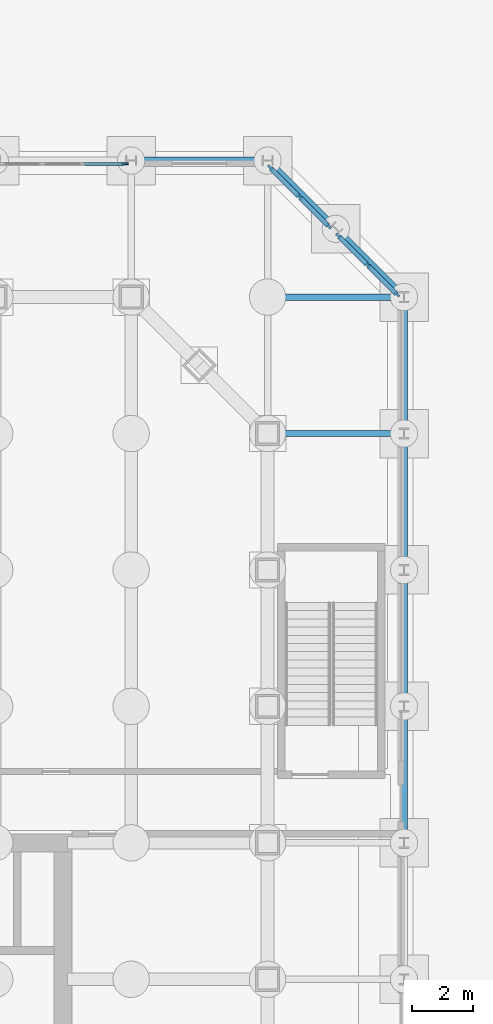
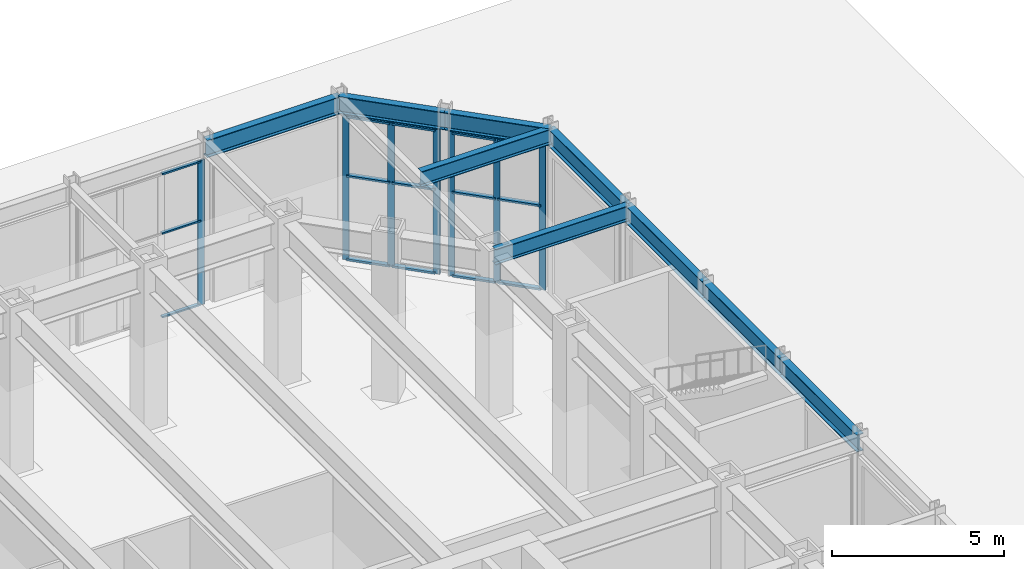
# One storey, part 12 of 39: 22 members, 9 beams, 3 elements without a shape of their own.
"""IFC4 building model written with IfcOpenShell, lengths in metres."""

from ifc_helpers import new_model, si_unit, direction, frame, origin, origin_2d, place, context, subcontext, project, spatial, rectangle, i_section, extrude, material, material_profile, profile_set, type_object, element, aggregate, save


model = new_model("IFC4")

# Units and contexts
model_context = context("Model", 3, precision=1e-05, world=origin(), true_north=direction((0.0, 1.0)))
body_context = subcontext(model_context, "Body", "Model", "MODEL_VIEW")
ifc_project = project(units=[si_unit("LENGTHUNIT", "METRE"), si_unit("AREAUNIT", "SQUARE_METRE"), si_unit("VOLUMEUNIT", "CUBIC_METRE"), si_unit("PLANEANGLEUNIT", "RADIAN"), si_unit("MASSUNIT", "GRAM", prefix="KILO")], contexts=[model_context])

# Site, building, storey
site_placement = place(None, origin())
site = spatial("IfcSite", under=ifc_project, at=site_placement, CompositionType="ELEMENT")
building_placement = place(site_placement, origin())
building = spatial("IfcBuilding", under=site, at=building_placement, Name="Msasa Ring Tower", CompositionType="ELEMENT")
storey_placement = place(building_placement, origin())
storey = spatial("IfcBuildingStorey", under=building, at=storey_placement, Name="L00", CompositionType="ELEMENT", Elevation=0.0)

# Curtain wall, members
ifc_material_1 = material(Name="Aluminium curtain wall with clear glass", Category="aluminium")
curtain_wall_type_1 = type_object("IfcCurtainWallType", Name="CW-F PLAZA SHOPFRONT CURTAIN WALL", PredefinedType="NOTDEFINED", material=ifc_material_1)
curtain_wall_1_placement = place(storey_placement, origin())
curtain_wall_1 = element("IfcCurtainWall", 1, at=curtain_wall_1_placement, inside=storey, type_object=curtain_wall_type_1, Name="Plaza shopfront curtain wall N L00 35", PredefinedType="NOTDEFINED")
ifc_material_2 = material(Name="Aluminium mullion", Category="aluminium")
ifc_material_profile_1 = material_profile(ifc_material_2, rectangle(XDim=0.054931640625, YDim=0.22509765625, at=origin_2d()), Name="AL 55x225")
ifc_profile_set_1 = profile_set([ifc_material_profile_1], Name="Aluminium mullion")
member_type_1 = type_object("IfcMemberType", Name="CW-F MULLION 55x225", PredefinedType="MULLION", material=ifc_profile_set_1)
member_1_placement = place(storey_placement, frame((20.034912109375, 29.14990234375, 0.0), z_axis=(0.0, 0.0, 1.0), x_axis=(0.0, 1.0, 0.0)))
member_1 = element("IfcMember", 2, at=member_1_placement, type_object=member_type_1, Name="CW-F mullion 4", PredefinedType="MULLION", context=body_context, shape_type="SweptSolid", body=[
    extrude(rectangle(XDim=0.054931640625, YDim=0.22509765625, at=origin_2d()), origin(), (0.0, 0.0, 1.0), 5.1328125),
])
ifc_material_3 = material(Name="Aluminium transom", Category="aluminium")
ifc_material_profile_2 = material_profile(ifc_material_3, rectangle(XDim=0.110107421875, YDim=0.054931640625, at=origin_2d()), Name="AL 55x110")
ifc_profile_set_2 = profile_set([ifc_material_profile_2], Name="Aluminium transom")
member_type_2 = type_object("IfcMemberType", Name="CW-F TRANSOM 55x110", PredefinedType="USERDEFINED", material=ifc_profile_set_2)
member_2_placement = place(storey_placement, frame((18.71484375, 29.14990234375, 0.027587890625), z_axis=(1.0, 0.0, 0.0), x_axis=(0.0, 1.0, 0.0)))
member_2 = element("IfcMember", 3, at=member_2_placement, type_object=member_type_2, Name="CW-F transom 3.1", ObjectType="TRANSOM", PredefinedType="USERDEFINED", context=body_context, shape_type="SweptSolid", body=[
    extrude(rectangle(XDim=0.110107421875, YDim=0.054931640625, at=origin_2d()), origin(), (0.0, 0.0, 1.0), 1.29248046875),
])
member_3_placement = place(storey_placement, frame((18.71484375, 29.14990234375, 3.0), z_axis=(1.0, 0.0, 0.0), x_axis=(0.0, 1.0, 0.0)))
member_3 = element("IfcMember", 4, at=member_3_placement, type_object=member_type_2, Name="CW-F transom 3.2", ObjectType="TRANSOM", PredefinedType="USERDEFINED", context=body_context, shape_type="SweptSolid", body=[
    extrude(rectangle(XDim=0.110107421875, YDim=0.054931640625, at=origin_2d()), origin(), (0.0, 0.0, 1.0), 1.29248046875),
])
member_4_placement = place(storey_placement, frame((18.71484375, 29.14990234375, 5.105224609375), z_axis=(1.0, 0.0, 0.0), x_axis=(0.0, 1.0, 0.0)))
member_4 = element("IfcMember", 5, at=member_4_placement, type_object=member_type_2, Name="CW-F transom 3.3", ObjectType="TRANSOM", PredefinedType="USERDEFINED", context=body_context, shape_type="SweptSolid", body=[
    extrude(rectangle(XDim=0.110107421875, YDim=0.054931640625, at=origin_2d()), origin(), (0.0, 0.0, 1.0), 1.29248046875),
])
aggregate(curtain_wall_1, [member_1, member_2, member_3, member_4])

ifc_material_4 = material(Name="Aluminium curtain wall with clear glass", Category="aluminium")
curtain_wall_type_2 = type_object("IfcCurtainWallType", Name="CW-K PODIUM CORNER CURTAIN WALL", PredefinedType="NOTDEFINED", material=ifc_material_4)
curtain_wall_2_placement = place(storey_placement, origin())
curtain_wall_2 = element("IfcCurtainWall", 6, at=curtain_wall_2_placement, inside=storey, type_object=curtain_wall_type_2, Name="Podium corner curtain wall NE L00", PredefinedType="NOTDEFINED")
ifc_material_5 = material(Name="Aluminium mullion", Category="aluminium")
ifc_material_profile_3 = material_profile(ifc_material_5, rectangle(XDim=0.070068359375, YDim=0.199951171875, at=origin_2d()), Name="AL 70x200")
ifc_profile_set_3 = profile_set([ifc_material_profile_3], Name="Aluminium mullion")
member_type_3 = type_object("IfcMemberType", Name="CW-K MULLION 70x200", PredefinedType="MULLION", material=ifc_profile_set_3)
member_5_placement = place(storey_placement, frame((26.77197265625, 27.086669921875, 0.0), z_axis=(0.0, 0.0, 1.0), x_axis=(-0.707106781187, -0.707106781187, 0.0)))
member_5 = element("IfcMember", 7, at=member_5_placement, type_object=member_type_3, Name="CW-K mullion 1", PredefinedType="MULLION", context=body_context, shape_type="SweptSolid", body=[
    extrude(rectangle(XDim=0.070068359375, YDim=0.199951171875, at=origin_2d()), origin(), (0.0, 0.0, 1.0), 5.1328125),
])
member_6_placement = place(storey_placement, frame((25.80419921875, 28.05419921875, 0.0), z_axis=(0.0, 0.0, 1.0), x_axis=(-0.707106781187, -0.707106781187, 0.0)))
member_6 = element("IfcMember", 8, at=member_6_placement, type_object=member_type_3, Name="CW-K mullion 2", PredefinedType="MULLION", context=body_context, shape_type="SweptSolid", body=[
    extrude(rectangle(XDim=0.070068359375, YDim=0.199951171875, at=origin_2d()), origin(), (0.0, 0.0, 1.0), 5.1328125),
])
member_7_placement = place(storey_placement, frame((24.836669921875, 29.02197265625, 0.0), z_axis=(0.0, 0.0, 1.0), x_axis=(-0.707106781187, -0.707106781187, 0.0)))
member_7 = element("IfcMember", 9, at=member_7_placement, type_object=member_type_3, Name="CW-K mullion 3", PredefinedType="MULLION", context=body_context, shape_type="SweptSolid", body=[
    extrude(rectangle(XDim=0.070068359375, YDim=0.199951171875, at=origin_2d()), origin(), (0.0, 0.0, 1.0), 5.1328125),
])

curtain_wall_3_placement = place(storey_placement, origin())
curtain_wall_3 = element("IfcCurtainWall", 10, at=curtain_wall_3_placement, inside=storey, type_object=curtain_wall_type_2, Name="Podium corner curtain wall NE L00", PredefinedType="NOTDEFINED")
member_8_placement = place(storey_placement, frame((29.02197265625, 24.836669921875, 0.0), z_axis=(0.0, 0.0, 1.0), x_axis=(-0.707106781187, -0.707106781187, 0.0)))
member_8 = element("IfcMember", 11, at=member_8_placement, type_object=member_type_3, Name="CW-K mullion 1", PredefinedType="MULLION", context=body_context, shape_type="SweptSolid", body=[
    extrude(rectangle(XDim=0.070068359375, YDim=0.199951171875, at=origin_2d()), origin(), (0.0, 0.0, 1.0), 5.1328125),
])
member_9_placement = place(storey_placement, frame((28.05419921875, 25.80419921875, 0.0), z_axis=(0.0, 0.0, 1.0), x_axis=(-0.707106781187, -0.707106781187, 0.0)))
member_9 = element("IfcMember", 12, at=member_9_placement, type_object=member_type_3, Name="CW-K mullion 2", PredefinedType="MULLION", context=body_context, shape_type="SweptSolid", body=[
    extrude(rectangle(XDim=0.070068359375, YDim=0.199951171875, at=origin_2d()), origin(), (0.0, 0.0, 1.0), 5.1328125),
])
member_10_placement = place(storey_placement, frame((27.086669921875, 26.77197265625, 0.0), z_axis=(0.0, 0.0, 1.0), x_axis=(-0.707106781187, -0.707106781187, 0.0)))
member_10 = element("IfcMember", 13, at=member_10_placement, type_object=member_type_3, Name="CW-K mullion 3", PredefinedType="MULLION", context=body_context, shape_type="SweptSolid", body=[
    extrude(rectangle(XDim=0.070068359375, YDim=0.199951171875, at=origin_2d()), origin(), (0.0, 0.0, 1.0), 5.1328125),
])

# Member
ifc_material_6 = material(Name="Aluminium transom", Category="aluminium")
ifc_material_profile_4 = material_profile(ifc_material_6, rectangle(XDim=0.14990234375, YDim=0.070068359375, at=origin_2d()), Name="AL 70x150")
ifc_profile_set_4 = profile_set([ifc_material_profile_4], Name="Aluminium transom")
member_type_4 = type_object("IfcMemberType", Name="CW-K TRANSOM 70x150", PredefinedType="USERDEFINED", material=ifc_profile_set_4)
member_11_placement = place(storey_placement, frame((26.7470703125, 27.111572265625, 0.034912109375), z_axis=(-0.707106781187, 0.707106781187, 0.0), x_axis=(-0.707106781187, -0.707106781187, 0.0)))
member_11 = element("IfcMember", 14, at=member_11_placement, type_object=member_type_4, Name="CW-K transom 1.1", ObjectType="TRANSOM", PredefinedType="USERDEFINED", context=body_context, shape_type="SweptSolid", body=[
    extrude(rectangle(XDim=0.14990234375, YDim=0.070068359375, at=origin_2d()), origin(), (0.0, 0.0, 1.0), 1.298095703125),
])

member_12_placement = place(storey_placement, frame((26.7470703125, 27.111572265625, 3.0), z_axis=(-0.707106781187, 0.707106781187, 0.0), x_axis=(-0.707106781187, -0.707106781187, 0.0)))
member_12 = element("IfcMember", 15, at=member_12_placement, type_object=member_type_4, Name="CW-K transom 1.2", ObjectType="TRANSOM", PredefinedType="USERDEFINED", context=body_context, shape_type="SweptSolid", body=[
    extrude(rectangle(XDim=0.14990234375, YDim=0.070068359375, at=origin_2d()), origin(), (0.0, 0.0, 1.0), 1.298095703125),
])

member_13_placement = place(storey_placement, frame((26.7470703125, 27.111572265625, 5.097900390625), z_axis=(-0.707106781187, 0.707106781187, 0.0), x_axis=(-0.707106781187, -0.707106781187, 0.0)))
member_13 = element("IfcMember", 16, at=member_13_placement, type_object=member_type_4, Name="CW-K transom 1.3", ObjectType="TRANSOM", PredefinedType="USERDEFINED", context=body_context, shape_type="SweptSolid", body=[
    extrude(rectangle(XDim=0.14990234375, YDim=0.070068359375, at=origin_2d()), origin(), (0.0, 0.0, 1.0), 1.298095703125),
])

member_14_placement = place(storey_placement, frame((25.779541015625, 28.0791015625, 0.034912109375), z_axis=(-0.707106781187, 0.707106781187, 0.0), x_axis=(-0.707106781187, -0.707106781187, 0.0)))
member_14 = element("IfcMember", 17, at=member_14_placement, type_object=member_type_4, Name="CW-K transom 2.1", ObjectType="TRANSOM", PredefinedType="USERDEFINED", context=body_context, shape_type="SweptSolid", body=[
    extrude(rectangle(XDim=0.14990234375, YDim=0.070068359375, at=origin_2d()), origin(), (0.0, 0.0, 1.0), 1.298095703125),
])

member_15_placement = place(storey_placement, frame((25.779541015625, 28.0791015625, 3.0), z_axis=(-0.707106781187, 0.707106781187, 0.0), x_axis=(-0.707106781187, -0.707106781187, 0.0)))
member_15 = element("IfcMember", 18, at=member_15_placement, type_object=member_type_4, Name="CW-K transom 2.2", ObjectType="TRANSOM", PredefinedType="USERDEFINED", context=body_context, shape_type="SweptSolid", body=[
    extrude(rectangle(XDim=0.14990234375, YDim=0.070068359375, at=origin_2d()), origin(), (0.0, 0.0, 1.0), 1.298095703125),
])

member_16_placement = place(storey_placement, frame((25.779541015625, 28.0791015625, 5.097900390625), z_axis=(-0.707106781187, 0.707106781187, 0.0), x_axis=(-0.707106781187, -0.707106781187, 0.0)))
member_16 = element("IfcMember", 19, at=member_16_placement, type_object=member_type_4, Name="CW-K transom 2.3", ObjectType="TRANSOM", PredefinedType="USERDEFINED", context=body_context, shape_type="SweptSolid", body=[
    extrude(rectangle(XDim=0.14990234375, YDim=0.070068359375, at=origin_2d()), origin(), (0.0, 0.0, 1.0), 1.298095703125),
])

aggregate(curtain_wall_2, [member_5, member_6, member_7, member_11, member_12, member_13, member_14, member_15, member_16])

member_17_placement = place(storey_placement, frame((28.9970703125, 24.861572265625, 0.034912109375), z_axis=(-0.707106781187, 0.707106781187, 0.0), x_axis=(-0.707106781187, -0.707106781187, 0.0)))
member_17 = element("IfcMember", 20, at=member_17_placement, type_object=member_type_4, Name="CW-K transom 1.1", ObjectType="TRANSOM", PredefinedType="USERDEFINED", context=body_context, shape_type="SweptSolid", body=[
    extrude(rectangle(XDim=0.14990234375, YDim=0.070068359375, at=origin_2d()), origin(), (0.0, 0.0, 1.0), 1.298095703125),
])

member_18_placement = place(storey_placement, frame((28.9970703125, 24.861572265625, 3.0), z_axis=(-0.707106781187, 0.707106781187, 0.0), x_axis=(-0.707106781187, -0.707106781187, 0.0)))
member_18 = element("IfcMember", 21, at=member_18_placement, type_object=member_type_4, Name="CW-K transom 1.2", ObjectType="TRANSOM", PredefinedType="USERDEFINED", context=body_context, shape_type="SweptSolid", body=[
    extrude(rectangle(XDim=0.14990234375, YDim=0.070068359375, at=origin_2d()), origin(), (0.0, 0.0, 1.0), 1.298095703125),
])

member_19_placement = place(storey_placement, frame((28.9970703125, 24.861572265625, 5.097900390625), z_axis=(-0.707106781187, 0.707106781187, 0.0), x_axis=(-0.707106781187, -0.707106781187, 0.0)))
member_19 = element("IfcMember", 22, at=member_19_placement, type_object=member_type_4, Name="CW-K transom 1.3", ObjectType="TRANSOM", PredefinedType="USERDEFINED", context=body_context, shape_type="SweptSolid", body=[
    extrude(rectangle(XDim=0.14990234375, YDim=0.070068359375, at=origin_2d()), origin(), (0.0, 0.0, 1.0), 1.298095703125),
])

member_20_placement = place(storey_placement, frame((28.029541015625, 25.8291015625, 0.034912109375), z_axis=(-0.707106781187, 0.707106781187, 0.0), x_axis=(-0.707106781187, -0.707106781187, 0.0)))
member_20 = element("IfcMember", 23, at=member_20_placement, type_object=member_type_4, Name="CW-K transom 2.1", ObjectType="TRANSOM", PredefinedType="USERDEFINED", context=body_context, shape_type="SweptSolid", body=[
    extrude(rectangle(XDim=0.14990234375, YDim=0.070068359375, at=origin_2d()), origin(), (0.0, 0.0, 1.0), 1.298095703125),
])

member_21_placement = place(storey_placement, frame((28.029541015625, 25.8291015625, 3.0), z_axis=(-0.707106781187, 0.707106781187, 0.0), x_axis=(-0.707106781187, -0.707106781187, 0.0)))
member_21 = element("IfcMember", 24, at=member_21_placement, type_object=member_type_4, Name="CW-K transom 2.2", ObjectType="TRANSOM", PredefinedType="USERDEFINED", context=body_context, shape_type="SweptSolid", body=[
    extrude(rectangle(XDim=0.14990234375, YDim=0.070068359375, at=origin_2d()), origin(), (0.0, 0.0, 1.0), 1.298095703125),
])

member_22_placement = place(storey_placement, frame((28.029541015625, 25.8291015625, 5.097900390625), z_axis=(-0.707106781187, 0.707106781187, 0.0), x_axis=(-0.707106781187, -0.707106781187, 0.0)))
member_22 = element("IfcMember", 25, at=member_22_placement, type_object=member_type_4, Name="CW-K transom 2.3", ObjectType="TRANSOM", PredefinedType="USERDEFINED", context=body_context, shape_type="SweptSolid", body=[
    extrude(rectangle(XDim=0.14990234375, YDim=0.070068359375, at=origin_2d()), origin(), (0.0, 0.0, 1.0), 1.298095703125),
])

aggregate(curtain_wall_3, [member_8, member_9, member_10, member_17, member_18, member_19, member_20, member_21, member_22])

# Beams
ifc_material_7 = material(Name="Steel S355", Category="steel")
ifc_material_profile_5 = material_profile(ifc_material_7, i_section(OverallWidth=0.2119140625, OverallDepth=0.54443359375, WebThickness=0.0126953125, FlangeThickness=0.021240234375, FilletRadius=0.0126953125, at=origin_2d()), Name="UB 533x210x122")
ifc_profile_set_5 = profile_set([ifc_material_profile_5], Name="Steel S355")
beam_type_1 = type_object("IfcBeamType", Name="PB1 UB 533x210x122", PredefinedType="BEAM", material=ifc_profile_set_5)
beam_1_placement = place(storey_placement, frame((29.25, 20.25, 5.477783203125), z_axis=(-1.0, 0.0, 0.0), x_axis=(0.0, -1.0, 0.0)))
element("IfcBeam", 26, at=beam_1_placement, inside=storey, type_object=beam_type_1, Name="Podium beam E+20.25 under L01", PredefinedType="BEAM", context=body_context, shape_type="SweptSolid", body=[
    extrude(i_section(OverallWidth=0.2119140625, OverallDepth=0.54443359375, WebThickness=0.0126953125, FlangeThickness=0.021240234375, FilletRadius=0.0126953125, at=origin_2d()), origin(), (0.0, 0.0, 1.0), 4.5),
])
beam_2_placement = place(storey_placement, frame((29.25, 24.75, 5.477783203125), z_axis=(-1.0, 0.0, 0.0), x_axis=(0.0, -1.0, 0.0)))
element("IfcBeam", 27, at=beam_2_placement, inside=storey, type_object=beam_type_1, Name="Podium beam E+24.75 under L01", PredefinedType="BEAM", context=body_context, shape_type="SweptSolid", body=[
    extrude(i_section(OverallWidth=0.2119140625, OverallDepth=0.54443359375, WebThickness=0.0126953125, FlangeThickness=0.021240234375, FilletRadius=0.0126953125, at=origin_2d()), origin(), (0.0, 0.0, 1.0), 4.39404296875),
])
ifc_material_8 = material(Name="Steel S355", Category="steel")
ifc_material_profile_6 = material_profile(ifc_material_8, i_section(OverallWidth=0.230224609375, OverallDepth=0.6171875, WebThickness=0.01318359375, FlangeThickness=0.022216796875, FilletRadius=0.0126953125, at=origin_2d()), Name="UB 610x229x140")
ifc_profile_set_6 = profile_set([ifc_material_profile_6], Name="Steel S355")
beam_type_2 = type_object("IfcBeamType", Name="SB2 UB 610x229x140", PredefinedType="SPANDREL", material=ifc_profile_set_6)
for number, where, z_axis, x_axis, name in (
    (28, (29.25, 6.75, 5.44140625), (0.0, 1.0, 0.0), (-1.0, 0.0, 0.0), "Podium spandrel E+6.75 under L01"),
    (29, (29.25, 11.25, 5.44140625), (0.0, 1.0, 0.0), (-1.0, 0.0, 0.0), "Podium spandrel E+11.25 under L01"),
    (30, (29.25, 15.75, 5.44140625), (0.0, 1.0, 0.0), (-1.0, 0.0, 0.0), "Podium spandrel E+15.75 under L01"),
    (31, (29.25, 20.25, 5.44140625), (0.0, 1.0, 0.0), (-1.0, 0.0, 0.0), "Podium spandrel E+20.25 under L01"),
):
    element("IfcBeam", number, at=place(storey_placement, frame(where, z_axis=z_axis, x_axis=x_axis)), inside=storey, type_object=beam_type_2, Name=name, PredefinedType="SPANDREL", context=body_context, shape_type="SweptSolid", body=[
        extrude(i_section(OverallWidth=0.230224609375, OverallDepth=0.6171875, WebThickness=0.01318359375, FlangeThickness=0.022216796875, FilletRadius=0.0126953125, at=origin_2d()), origin(), (0.0, 0.0, 1.0), 4.5),
    ])
for number, where, z_axis, x_axis, name in (
    (32, (29.25, 24.75, 5.44140625), (-0.707106781187, 0.707106781187, 0.0), (-0.707106781187, -0.707106781187, 0.0), "Podium spandrel E+24.75 under L01"),
    (33, (27.0, 27.0, 5.44140625), (-0.707106781187, 0.707106781187, 0.0), (-0.707106781187, -0.707106781187, 0.0), "Podium spandrel NE under L01"),
):
    element("IfcBeam", number, at=place(storey_placement, frame(where, z_axis=z_axis, x_axis=x_axis)), inside=storey, type_object=beam_type_2, Name=name, PredefinedType="SPANDREL", context=body_context, shape_type="SweptSolid", body=[
        extrude(i_section(OverallWidth=0.230224609375, OverallDepth=0.6171875, WebThickness=0.01318359375, FlangeThickness=0.022216796875, FilletRadius=0.0126953125, at=origin_2d()), origin(), (0.0, 0.0, 1.0), 3.181884765625),
    ])
beam_3_placement = place(storey_placement, frame((24.75, 29.25, 5.44140625), z_axis=(-1.0, 0.0, 0.0), x_axis=(0.0, -1.0, 0.0)))
element("IfcBeam", 34, at=beam_3_placement, inside=storey, type_object=beam_type_2, Name="Podium spandrel N+24.75 under L01", PredefinedType="SPANDREL", context=body_context, shape_type="SweptSolid", body=[
    extrude(i_section(OverallWidth=0.230224609375, OverallDepth=0.6171875, WebThickness=0.01318359375, FlangeThickness=0.022216796875, FilletRadius=0.0126953125, at=origin_2d()), origin(), (0.0, 0.0, 1.0), 4.5),
])

save(model, "model.ifc")
